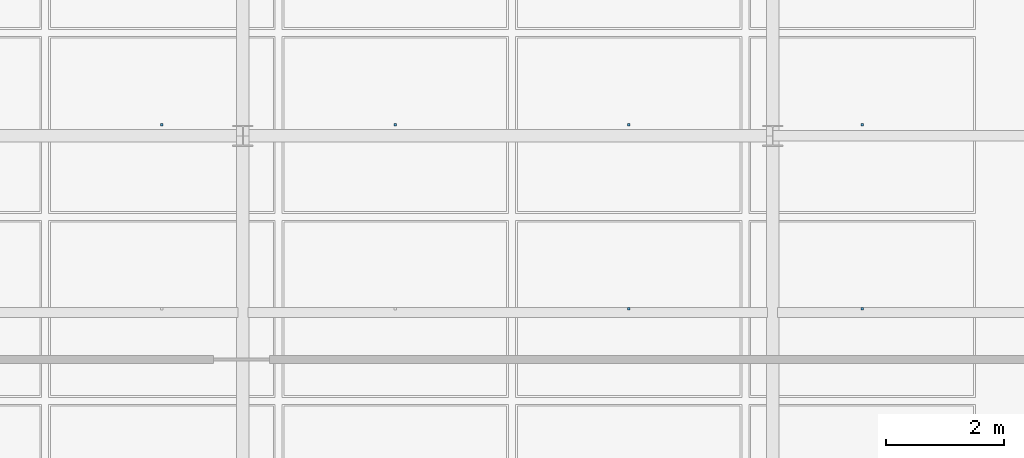
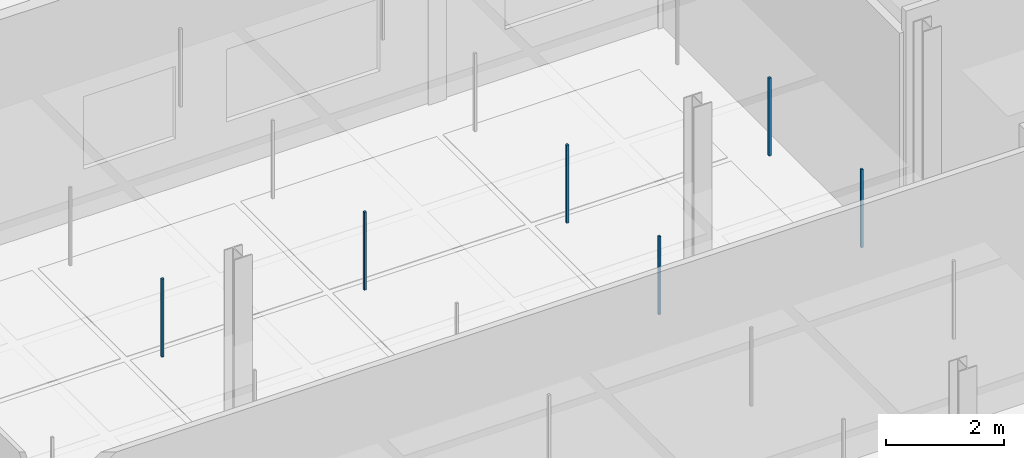
# One storey, part 136 of 180: 6 discrete accessories.
"""IFC4 building model written with IfcOpenShell, lengths in metres."""

from ifc_helpers import new_model, si_unit, direction, frame, origin, origin_2d, place, context, subcontext, project, spatial, rectangle, extrude, material, type_object, element, save


model = new_model("IFC4")

# Units and contexts
model_context = context("Model", 3, precision=1e-05, world=origin(), true_north=direction((0.0, 1.0)))
body_context = subcontext(model_context, "Body", "Model", "MODEL_VIEW")
ifc_project = project(units=[si_unit("LENGTHUNIT", "METRE"), si_unit("AREAUNIT", "SQUARE_METRE"), si_unit("VOLUMEUNIT", "CUBIC_METRE"), si_unit("PLANEANGLEUNIT", "RADIAN"), si_unit("MASSUNIT", "GRAM", prefix="KILO"), si_unit("THERMODYNAMICTEMPERATUREUNIT", "KELVIN"), si_unit("POWERUNIT", "WATT")], contexts=[model_context])

# Site, building, storey
site_placement = place(None, origin())
site = spatial("IfcSite", under=ifc_project, at=site_placement, CompositionType="ELEMENT")
building_placement = place(site_placement, origin())
building = spatial("IfcBuilding", under=site, at=building_placement, Name="Tallowbark Science Centre", CompositionType="ELEMENT")
storey_placement = place(building_placement, origin())
storey = spatial("IfcBuildingStorey", under=building, at=storey_placement, Name="L00", CompositionType="ELEMENT", Elevation=0.0)

# Discrete accessories
ifc_material = material(Name="Galvanised Steel Grade C350L0 (350 MPa)", Category="steel")
discrete_accessory_type = type_object("IfcDiscreteAccessoryType", Name="ACC-CLG-HNG", PredefinedType="BRACKET", material=ifc_material)
for number, where, z_axis, x_axis, name in (
    (1, (97.625, 90.1875, 3.60498046875), (0.0, 0.0, 1.0), (1.0, 0.0, 0.0), "Ceiling Hanger Bracket L00-370"),
    (2, (101.58935546875, 90.1875, 3.60498046875), (0.0, 0.0, 1.0), (1.0, 0.0, 0.0), "Ceiling Hanger Bracket L00-378"),
    (3, (105.5537109375, 87.0625, 3.60498046875), (0.0, 0.0, 1.0), (1.0, 0.0, 0.0), "Ceiling Hanger Bracket L00-385"),
    (4, (105.5537109375, 90.1875, 3.60498046875), (0.0, 0.0, 1.0), (1.0, 0.0, 0.0), "Ceiling Hanger Bracket L00-386"),
    (5, (109.517822265625, 87.0625, 3.60498046875), (0.0, 0.0, 1.0), (1.0, 0.0, 0.0), "Ceiling Hanger Bracket L00-393"),
    (6, (109.517822265625, 90.1875, 3.60498046875), (0.0, 0.0, 1.0), (1.0, 0.0, 0.0), "Ceiling Hanger Bracket L00-394"),
):
    element("IfcDiscreteAccessory", number, at=place(storey_placement, frame(where, z_axis=z_axis, x_axis=x_axis)), inside=storey, type_object=discrete_accessory_type, Name=name, PredefinedType="BRACKET", context=body_context, shape_type="SweptSolid", body=[
        extrude(rectangle(XDim=0.044921875, YDim=0.044921875, at=origin_2d()), origin(), (0.0, 0.0, 1.0), 1.617919921875),
    ])

save(model, "model.ifc")
